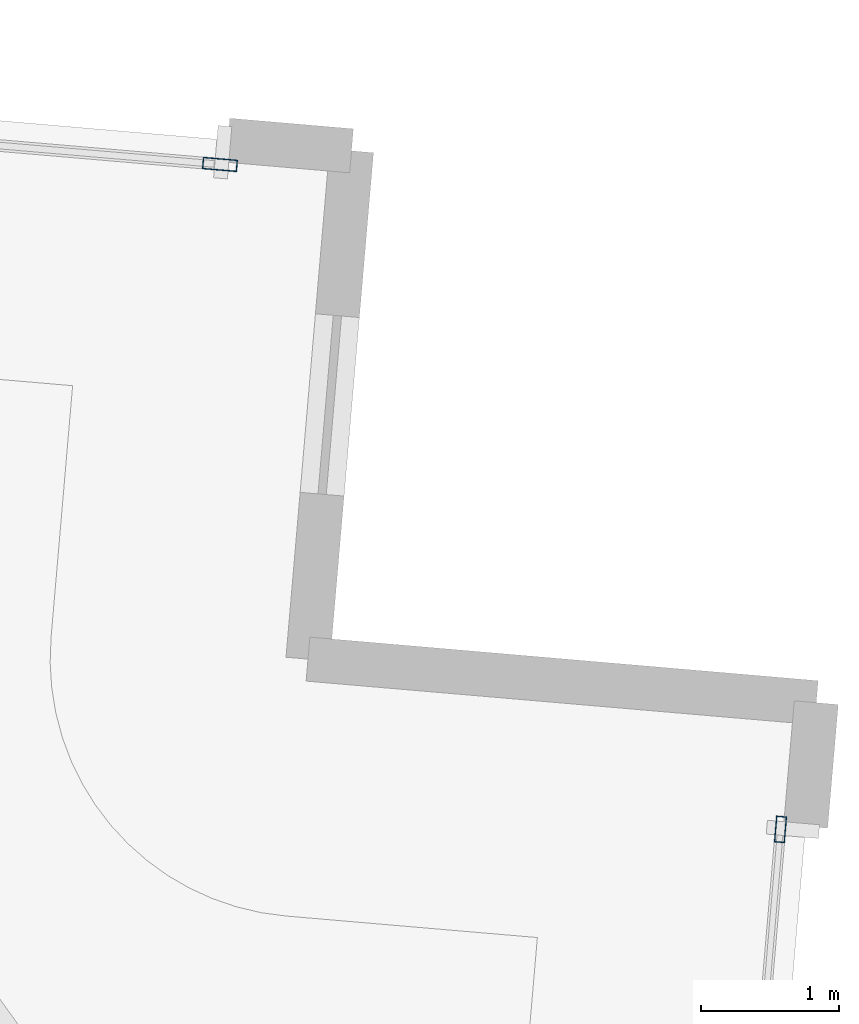
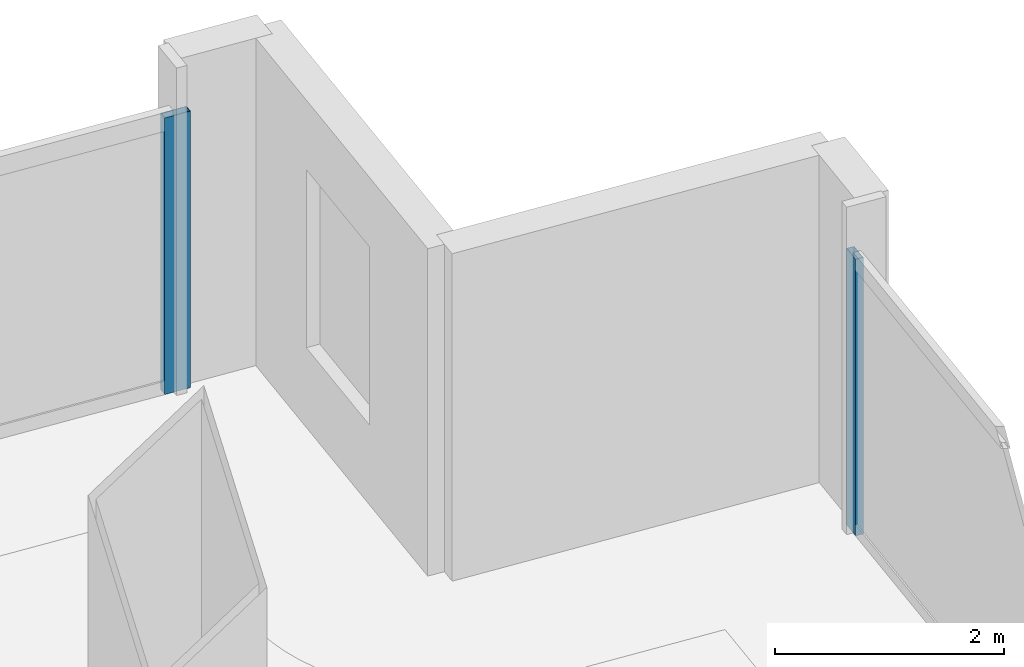
# One storey, part 17 of 24: 2 members, 2 elements without a shape of their own.
"""IFC4 building model written with IfcOpenShell, lengths in metres."""

from ifc_helpers import new_model, si_unit, direction, frame, origin, origin_2d, place, context, subcontext, project, spatial, hollow_rectangle, extrude, material, material_profile, profile_set, type_object, element, aggregate, save


model = new_model("IFC4")

# Units and contexts
model_context = context("Model", 3, precision=1e-05, world=origin(), true_north=direction((0.0, 1.0)))
body_context = subcontext(model_context, "Body", "Model", "MODEL_VIEW")
ifc_project = project(units=[si_unit("LENGTHUNIT", "METRE"), si_unit("AREAUNIT", "SQUARE_METRE"), si_unit("VOLUMEUNIT", "CUBIC_METRE"), si_unit("PLANEANGLEUNIT", "RADIAN"), si_unit("MASSUNIT", "GRAM", prefix="KILO")], contexts=[model_context])

# Site, building, storey
site_placement = place(None, origin())
site = spatial("IfcSite", under=ifc_project, at=site_placement, CompositionType="ELEMENT")
building_placement = place(site_placement, origin())
building = spatial("IfcBuilding", under=site, at=building_placement, Name="Haldenkirk Collegiate Tower", CompositionType="ELEMENT")
storey_placement = place(building_placement, frame((0.0, 0.0, 313.949951171875)))
storey = spatial("IfcBuildingStorey", under=building, at=storey_placement, Name="L79", CompositionType="ELEMENT", Elevation=313.949951171875)

# Curtain wall, member
ifc_material = material(Name="Anodised architectural bronze aluminium", Category="aluminium")
curtain_wall_type_1 = type_object("IfcCurtainWallType", Name="CW-SYS2-CONCAVE", PredefinedType="USERDEFINED", material=ifc_material)
curtain_wall_1_placement = place(storey_placement, origin())
curtain_wall_1 = element("IfcCurtainWall", 1, at=curtain_wall_1_placement, inside=storey, type_object=curtain_wall_type_1, Name="L79 South concave recessed bronze-anodised curtain wall", ObjectType="UNITISED CURTAIN WALL", PredefinedType="USERDEFINED")
ifc_material_profile_1 = material_profile(ifc_material, hollow_rectangle(XDim=0.074951171875, YDim=0.18994140625, WallThickness=0.0048828125, at=origin_2d()), Name="CW-MUL-02")
ifc_profile_set_1 = profile_set([ifc_material_profile_1], Name="Anodised architectural bronze aluminium")
member_type_1 = type_object("IfcMemberType", Name="CW-MUL-02", PredefinedType="MULLION", material=ifc_profile_set_1)
member_1_placement = place(storey_placement, frame((59.573486328125, 42.00732421875, 0.0), z_axis=(0.0, 0.0, 1.0), x_axis=(0.996345311804, -0.085416741017, 0.0)))
member_1 = element("IfcMember", 2, at=member_1_placement, type_object=member_type_1, Name="CW-02 mullion 1", PredefinedType="MULLION", context=body_context, shape_type="SweptSolid", body=[
    extrude(hollow_rectangle(XDim=0.074951171875, YDim=0.18994140625, WallThickness=0.0048828125, at=origin_2d()), origin(), (0.0, 0.0, 1.0), 2.947998046875),
])
aggregate(curtain_wall_1, [member_1])

curtain_wall_type_2 = type_object("IfcCurtainWallType", Name="CW-SYS1B-CONVEX-HI", PredefinedType="USERDEFINED", material=ifc_material)
curtain_wall_2_placement = place(storey_placement, origin())
curtain_wall_2 = element("IfcCurtainWall", 3, at=curtain_wall_2_placement, inside=storey, type_object=curtain_wall_type_2, Name="L79 Upper tower high-wind convex bronze unitised curtain wall", ObjectType="UNITISED CURTAIN WALL", PredefinedType="USERDEFINED")
ifc_material_profile_2 = material_profile(ifc_material, hollow_rectangle(XDim=0.0849609375, YDim=0.25, WallThickness=0.0048828125, at=origin_2d()), Name="CW-MUL-1B")
ifc_profile_set_2 = profile_set([ifc_material_profile_2], Name="Anodised architectural bronze aluminium")
member_type_2 = type_object("IfcMemberType", Name="CW-MUL-1B", PredefinedType="MULLION", material=ifc_profile_set_2)
member_2_placement = place(storey_placement, frame((55.508056640625, 46.829833984375, 0.0), z_axis=(0.0, 0.0, 1.0), x_axis=(0.085418127117, 0.996345192973, 0.0)))
member_2 = element("IfcMember", 4, at=member_2_placement, type_object=member_type_2, Name="CW-1B mullion 4", PredefinedType="MULLION", context=body_context, shape_type="SweptSolid", body=[
    extrude(hollow_rectangle(XDim=0.0849609375, YDim=0.25, WallThickness=0.0048828125, at=origin_2d()), origin(), (0.0, 0.0, 1.0), 2.947998046875),
])
aggregate(curtain_wall_2, [member_2])

save(model, "model.ifc")
